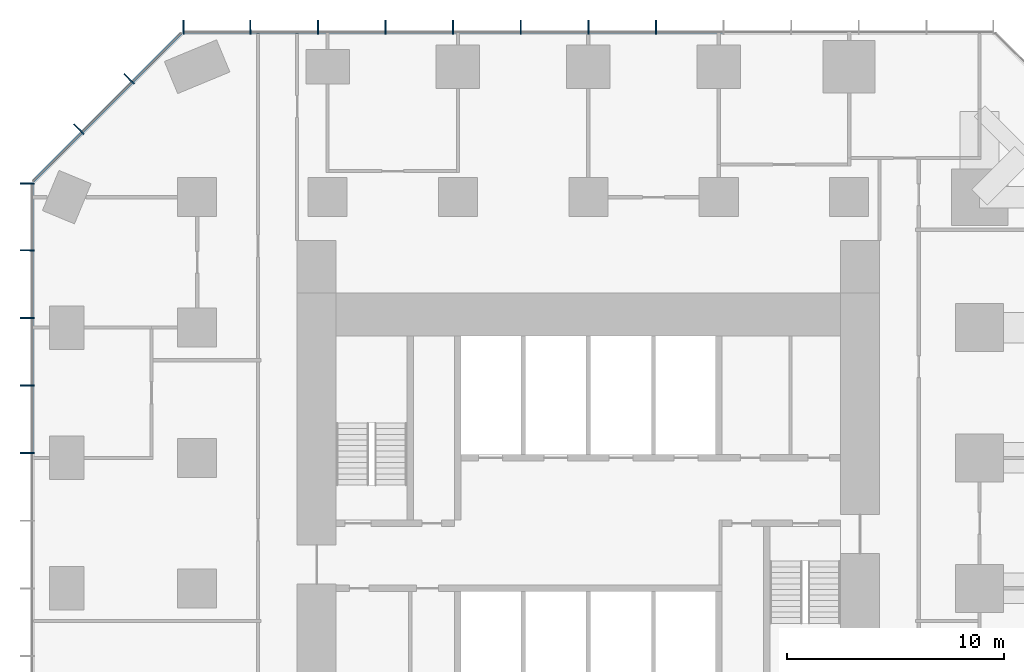
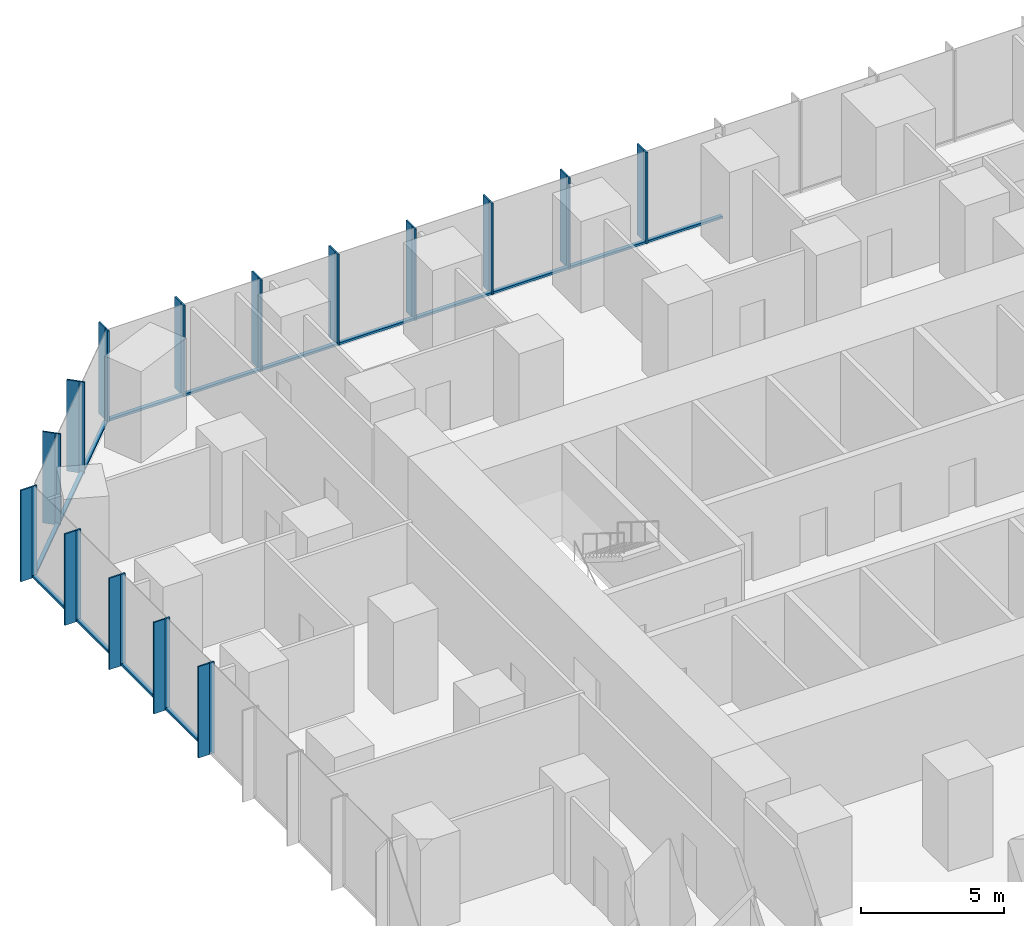
# One storey, part 5 of 12: 45 members, 3 elements without a shape of their own.
"""IFC4 building model written with IfcOpenShell, lengths in metres."""

from ifc_helpers import new_model, si_unit, direction, frame, origin, origin_2d, place, context, subcontext, project, spatial, rectangle, extrude, material, layer, layer_set, material_profile, profile_set, type_object, element, aggregate, save


model = new_model("IFC4")

# Units and contexts
model_context = context("Model", 3, precision=1e-05, world=origin(), true_north=direction((0.0, 1.0)))
body_context = subcontext(model_context, "Body", "Model", "MODEL_VIEW")
ifc_project = project(units=[si_unit("LENGTHUNIT", "METRE"), si_unit("AREAUNIT", "SQUARE_METRE"), si_unit("VOLUMEUNIT", "CUBIC_METRE"), si_unit("PLANEANGLEUNIT", "RADIAN"), si_unit("MASSUNIT", "GRAM", prefix="KILO")], contexts=[model_context])

# Site, building, storey
site_placement = place(None, origin())
site = spatial("IfcSite", under=ifc_project, at=site_placement, CompositionType="ELEMENT")
building_placement = place(site_placement, origin())
building = spatial("IfcBuilding", under=site, at=building_placement, Name="Highveld Stack Headquarters", CompositionType="ELEMENT")
storey_placement = place(building_placement, frame((0.0, 0.0, 53.300048828125)))
storey = spatial("IfcBuildingStorey", under=building, at=storey_placement, Name="L12", CompositionType="ELEMENT", Elevation=53.300048828125)

# Curtain wall, members
ifc_material_1 = material(Name="Aluminium bronze anodised", Category="aluminium")
ifc_layer_1 = layer(ifc_material_1, 0.199951171875)
ifc_layer_set_1 = layer_set([ifc_layer_1], Name="Aluminium bronze anodised")
curtain_wall_type_1 = type_object("IfcCurtainWallType", Name="CW1 TOWER UNITISED CURTAIN WALL", PredefinedType="NOTDEFINED", material=ifc_layer_set_1)
curtain_wall_1_placement = place(storey_placement, origin())
curtain_wall_1 = element("IfcCurtainWall", 1, at=curtain_wall_1_placement, inside=storey, type_object=curtain_wall_type_1, Name="Curtain wall CW1 L12 N", PredefinedType="NOTDEFINED")
ifc_material_2 = material(Name="Aluminium bronze anodised", Category="aluminium")
ifc_material_profile_1 = material_profile(ifc_material_2, rectangle(XDim=0.449951171875, YDim=0.06005859375, at=origin_2d()), Name="FIN 450x60")
ifc_profile_set_1 = profile_set([ifc_material_profile_1], Name="Aluminium bronze anodised")
member_type_1 = type_object("IfcMemberType", Name="CW1 BRONZE FIN 450x60", PredefinedType="USERDEFINED", material=ifc_profile_set_1)
member_1_placement = place(storey_placement, frame((9.110595703125, 25.925048828125, 0.0), z_axis=(0.0, 0.0, 1.0), x_axis=(0.0, -1.0, 0.0)))
member_1 = element("IfcMember", 2, at=member_1_placement, type_object=member_type_1, Name="CW1 fin L12 6", ObjectType="FIN", PredefinedType="USERDEFINED", context=body_context, shape_type="SweptSolid", body=[
    extrude(rectangle(XDim=0.449951171875, YDim=0.06005859375, at=origin_2d()), origin(), (0.0, 0.0, 1.0), 3.89990234375),
])
member_2_placement = place(storey_placement, frame((6.0, 25.925048828125, 0.0), z_axis=(0.0, 0.0, 1.0), x_axis=(0.0, -1.0, 0.0)))
member_2 = element("IfcMember", 3, at=member_2_placement, type_object=member_type_1, Name="CW1 fin L12 7", ObjectType="FIN", PredefinedType="USERDEFINED", context=body_context, shape_type="SweptSolid", body=[
    extrude(rectangle(XDim=0.449951171875, YDim=0.06005859375, at=origin_2d()), origin(), (0.0, 0.0, 1.0), 3.89990234375),
])
member_3_placement = place(storey_placement, frame((2.889404296875, 25.925048828125, 0.0), z_axis=(0.0, 0.0, 1.0), x_axis=(0.0, -1.0, 0.0)))
member_3 = element("IfcMember", 4, at=member_3_placement, type_object=member_type_1, Name="CW1 fin L12 8", ObjectType="FIN", PredefinedType="USERDEFINED", context=body_context, shape_type="SweptSolid", body=[
    extrude(rectangle(XDim=0.449951171875, YDim=0.06005859375, at=origin_2d()), origin(), (0.0, 0.0, 1.0), 3.89990234375),
])
member_4_placement = place(storey_placement, frame((-0.220947265625, 25.925048828125, 0.0), z_axis=(0.0, 0.0, 1.0), x_axis=(0.0, -1.0, 0.0)))
member_4 = element("IfcMember", 5, at=member_4_placement, type_object=member_type_1, Name="CW1 fin L12 9", ObjectType="FIN", PredefinedType="USERDEFINED", context=body_context, shape_type="SweptSolid", body=[
    extrude(rectangle(XDim=0.449951171875, YDim=0.06005859375, at=origin_2d()), origin(), (0.0, 0.0, 1.0), 3.89990234375),
])
member_5_placement = place(storey_placement, frame((-3.331298828125, 25.925048828125, 0.0), z_axis=(0.0, 0.0, 1.0), x_axis=(0.0, -1.0, 0.0)))
member_5 = element("IfcMember", 6, at=member_5_placement, type_object=member_type_1, Name="CW1 fin L12 10", ObjectType="FIN", PredefinedType="USERDEFINED", context=body_context, shape_type="SweptSolid", body=[
    extrude(rectangle(XDim=0.449951171875, YDim=0.06005859375, at=origin_2d()), origin(), (0.0, 0.0, 1.0), 3.89990234375),
])
member_6_placement = place(storey_placement, frame((-6.44189453125, 25.925048828125, 0.0), z_axis=(0.0, 0.0, 1.0), x_axis=(0.0, -1.0, 0.0)))
member_6 = element("IfcMember", 7, at=member_6_placement, type_object=member_type_1, Name="CW1 fin L12 11", ObjectType="FIN", PredefinedType="USERDEFINED", context=body_context, shape_type="SweptSolid", body=[
    extrude(rectangle(XDim=0.449951171875, YDim=0.06005859375, at=origin_2d()), origin(), (0.0, 0.0, 1.0), 3.89990234375),
])
member_7_placement = place(storey_placement, frame((-9.55224609375, 25.925048828125, 0.0), z_axis=(0.0, 0.0, 1.0), x_axis=(0.0, -1.0, 0.0)))
member_7 = element("IfcMember", 8, at=member_7_placement, type_object=member_type_1, Name="CW1 fin L12 12", ObjectType="FIN", PredefinedType="USERDEFINED", context=body_context, shape_type="SweptSolid", body=[
    extrude(rectangle(XDim=0.449951171875, YDim=0.06005859375, at=origin_2d()), origin(), (0.0, 0.0, 1.0), 3.89990234375),
])
member_8_placement = place(storey_placement, frame((-12.630126953125, 25.925048828125, 0.0), z_axis=(0.0, 0.0, 1.0), x_axis=(0.0, -1.0, 0.0)))
member_8 = element("IfcMember", 9, at=member_8_placement, type_object=member_type_1, Name="CW1 fin L12 13", ObjectType="FIN", PredefinedType="USERDEFINED", context=body_context, shape_type="SweptSolid", body=[
    extrude(rectangle(XDim=0.449951171875, YDim=0.06005859375, at=origin_2d()), origin(), (0.0, 0.0, 1.0), 3.89990234375),
])

curtain_wall_2_placement = place(storey_placement, origin())
curtain_wall_2 = element("IfcCurtainWall", 10, at=curtain_wall_2_placement, inside=storey, type_object=curtain_wall_type_1, Name="Curtain wall CW1 L12 W", PredefinedType="NOTDEFINED")
member_9_placement = place(storey_placement, frame((-19.925048828125, 18.630126953125, 0.0), z_axis=(0.0, 0.0, 1.0), x_axis=(1.0, 0.0, 0.0)))
member_9 = element("IfcMember", 11, at=member_9_placement, type_object=member_type_1, Name="CW1 fin L12 1", ObjectType="FIN", PredefinedType="USERDEFINED", context=body_context, shape_type="SweptSolid", body=[
    extrude(rectangle(XDim=0.449951171875, YDim=0.06005859375, at=origin_2d()), origin(), (0.0, 0.0, 1.0), 3.89990234375),
])
member_10_placement = place(storey_placement, frame((-19.925048828125, 15.55224609375, 0.0), z_axis=(0.0, 0.0, 1.0), x_axis=(1.0, 0.0, 0.0)))
member_10 = element("IfcMember", 12, at=member_10_placement, type_object=member_type_1, Name="CW1 fin L12 2", ObjectType="FIN", PredefinedType="USERDEFINED", context=body_context, shape_type="SweptSolid", body=[
    extrude(rectangle(XDim=0.449951171875, YDim=0.06005859375, at=origin_2d()), origin(), (0.0, 0.0, 1.0), 3.89990234375),
])
member_11_placement = place(storey_placement, frame((-19.925048828125, 12.44189453125, 0.0), z_axis=(0.0, 0.0, 1.0), x_axis=(1.0, 0.0, 0.0)))
member_11 = element("IfcMember", 13, at=member_11_placement, type_object=member_type_1, Name="CW1 fin L12 3", ObjectType="FIN", PredefinedType="USERDEFINED", context=body_context, shape_type="SweptSolid", body=[
    extrude(rectangle(XDim=0.449951171875, YDim=0.06005859375, at=origin_2d()), origin(), (0.0, 0.0, 1.0), 3.89990234375),
])
member_12_placement = place(storey_placement, frame((-19.925048828125, 9.331298828125, 0.0), z_axis=(0.0, 0.0, 1.0), x_axis=(1.0, 0.0, 0.0)))
member_12 = element("IfcMember", 14, at=member_12_placement, type_object=member_type_1, Name="CW1 fin L12 4", ObjectType="FIN", PredefinedType="USERDEFINED", context=body_context, shape_type="SweptSolid", body=[
    extrude(rectangle(XDim=0.449951171875, YDim=0.06005859375, at=origin_2d()), origin(), (0.0, 0.0, 1.0), 3.89990234375),
])
member_13_placement = place(storey_placement, frame((-19.925048828125, 6.220947265625, 0.0), z_axis=(0.0, 0.0, 1.0), x_axis=(1.0, 0.0, 0.0)))
member_13 = element("IfcMember", 15, at=member_13_placement, type_object=member_type_1, Name="CW1 fin L12 5", ObjectType="FIN", PredefinedType="USERDEFINED", context=body_context, shape_type="SweptSolid", body=[
    extrude(rectangle(XDim=0.449951171875, YDim=0.06005859375, at=origin_2d()), origin(), (0.0, 0.0, 1.0), 3.89990234375),
])

# Member
ifc_material_3 = material(Name="Aluminium bronze anodised", Category="aluminium")
ifc_material_profile_2 = material_profile(ifc_material_3, rectangle(XDim=0.199951171875, YDim=0.06494140625, at=origin_2d()), Name="CW1 MULLION 65x200")
ifc_profile_set_2 = profile_set([ifc_material_profile_2], Name="Aluminium bronze anodised")
member_type_2 = type_object("IfcMemberType", Name="CW1 MULLION 65x200", PredefinedType="MULLION", material=ifc_profile_set_2)
member_14_placement = place(storey_placement, frame((9.110595703125, 25.60009765625, 0.0), z_axis=(0.0, 0.0, 1.0), x_axis=(0.0, -1.0, 0.0)))
member_14 = element("IfcMember", 16, at=member_14_placement, type_object=member_type_2, Name="CW1 mullion L12 6", PredefinedType="MULLION", context=body_context, shape_type="SweptSolid", body=[
    extrude(rectangle(XDim=0.199951171875, YDim=0.06494140625, at=origin_2d()), origin(), (0.0, 0.0, 1.0), 3.89990234375),
])

member_15_placement = place(storey_placement, frame((6.0, 25.60009765625, 0.0), z_axis=(0.0, 0.0, 1.0), x_axis=(0.0, -1.0, 0.0)))
member_15 = element("IfcMember", 17, at=member_15_placement, type_object=member_type_2, Name="CW1 mullion L12 7", PredefinedType="MULLION", context=body_context, shape_type="SweptSolid", body=[
    extrude(rectangle(XDim=0.199951171875, YDim=0.06494140625, at=origin_2d()), origin(), (0.0, 0.0, 1.0), 3.89990234375),
])

member_16_placement = place(storey_placement, frame((2.889404296875, 25.60009765625, 0.0), z_axis=(0.0, 0.0, 1.0), x_axis=(0.0, -1.0, 0.0)))
member_16 = element("IfcMember", 18, at=member_16_placement, type_object=member_type_2, Name="CW1 mullion L12 8", PredefinedType="MULLION", context=body_context, shape_type="SweptSolid", body=[
    extrude(rectangle(XDim=0.199951171875, YDim=0.06494140625, at=origin_2d()), origin(), (0.0, 0.0, 1.0), 3.89990234375),
])

member_17_placement = place(storey_placement, frame((-0.220947265625, 25.60009765625, 0.0), z_axis=(0.0, 0.0, 1.0), x_axis=(0.0, -1.0, 0.0)))
member_17 = element("IfcMember", 19, at=member_17_placement, type_object=member_type_2, Name="CW1 mullion L12 9", PredefinedType="MULLION", context=body_context, shape_type="SweptSolid", body=[
    extrude(rectangle(XDim=0.199951171875, YDim=0.06494140625, at=origin_2d()), origin(), (0.0, 0.0, 1.0), 3.89990234375),
])

member_18_placement = place(storey_placement, frame((-3.331298828125, 25.60009765625, 0.0), z_axis=(0.0, 0.0, 1.0), x_axis=(0.0, -1.0, 0.0)))
member_18 = element("IfcMember", 20, at=member_18_placement, type_object=member_type_2, Name="CW1 mullion L12 10", PredefinedType="MULLION", context=body_context, shape_type="SweptSolid", body=[
    extrude(rectangle(XDim=0.199951171875, YDim=0.06494140625, at=origin_2d()), origin(), (0.0, 0.0, 1.0), 3.89990234375),
])

member_19_placement = place(storey_placement, frame((-6.44189453125, 25.60009765625, 0.0), z_axis=(0.0, 0.0, 1.0), x_axis=(0.0, -1.0, 0.0)))
member_19 = element("IfcMember", 21, at=member_19_placement, type_object=member_type_2, Name="CW1 mullion L12 11", PredefinedType="MULLION", context=body_context, shape_type="SweptSolid", body=[
    extrude(rectangle(XDim=0.199951171875, YDim=0.06494140625, at=origin_2d()), origin(), (0.0, 0.0, 1.0), 3.89990234375),
])

member_20_placement = place(storey_placement, frame((-9.55224609375, 25.60009765625, 0.0), z_axis=(0.0, 0.0, 1.0), x_axis=(0.0, -1.0, 0.0)))
member_20 = element("IfcMember", 22, at=member_20_placement, type_object=member_type_2, Name="CW1 mullion L12 12", PredefinedType="MULLION", context=body_context, shape_type="SweptSolid", body=[
    extrude(rectangle(XDim=0.199951171875, YDim=0.06494140625, at=origin_2d()), origin(), (0.0, 0.0, 1.0), 3.89990234375),
])

member_21_placement = place(storey_placement, frame((-12.630126953125, 25.60009765625, 0.0), z_axis=(0.0, 0.0, 1.0), x_axis=(0.0, -1.0, 0.0)))
member_21 = element("IfcMember", 23, at=member_21_placement, type_object=member_type_2, Name="CW1 mullion L12 13", PredefinedType="MULLION", context=body_context, shape_type="SweptSolid", body=[
    extrude(rectangle(XDim=0.199951171875, YDim=0.06494140625, at=origin_2d()), origin(), (0.0, 0.0, 1.0), 3.89990234375),
])

member_22_placement = place(storey_placement, frame((-19.60009765625, 18.630126953125, 0.0), z_axis=(0.0, 0.0, 1.0), x_axis=(1.0, 0.0, 0.0)))
member_22 = element("IfcMember", 24, at=member_22_placement, type_object=member_type_2, Name="CW1 mullion L12 1", PredefinedType="MULLION", context=body_context, shape_type="SweptSolid", body=[
    extrude(rectangle(XDim=0.199951171875, YDim=0.06494140625, at=origin_2d()), origin(), (0.0, 0.0, 1.0), 3.89990234375),
])

member_23_placement = place(storey_placement, frame((-19.60009765625, 15.55224609375, 0.0), z_axis=(0.0, 0.0, 1.0), x_axis=(1.0, 0.0, 0.0)))
member_23 = element("IfcMember", 25, at=member_23_placement, type_object=member_type_2, Name="CW1 mullion L12 2", PredefinedType="MULLION", context=body_context, shape_type="SweptSolid", body=[
    extrude(rectangle(XDim=0.199951171875, YDim=0.06494140625, at=origin_2d()), origin(), (0.0, 0.0, 1.0), 3.89990234375),
])

member_24_placement = place(storey_placement, frame((-19.60009765625, 12.44189453125, 0.0), z_axis=(0.0, 0.0, 1.0), x_axis=(1.0, 0.0, 0.0)))
member_24 = element("IfcMember", 26, at=member_24_placement, type_object=member_type_2, Name="CW1 mullion L12 3", PredefinedType="MULLION", context=body_context, shape_type="SweptSolid", body=[
    extrude(rectangle(XDim=0.199951171875, YDim=0.06494140625, at=origin_2d()), origin(), (0.0, 0.0, 1.0), 3.89990234375),
])

member_25_placement = place(storey_placement, frame((-19.60009765625, 9.331298828125, 0.0), z_axis=(0.0, 0.0, 1.0), x_axis=(1.0, 0.0, 0.0)))
member_25 = element("IfcMember", 27, at=member_25_placement, type_object=member_type_2, Name="CW1 mullion L12 4", PredefinedType="MULLION", context=body_context, shape_type="SweptSolid", body=[
    extrude(rectangle(XDim=0.199951171875, YDim=0.06494140625, at=origin_2d()), origin(), (0.0, 0.0, 1.0), 3.89990234375),
])

member_26_placement = place(storey_placement, frame((-19.60009765625, 6.220947265625, 0.0), z_axis=(0.0, 0.0, 1.0), x_axis=(1.0, 0.0, 0.0)))
member_26 = element("IfcMember", 28, at=member_26_placement, type_object=member_type_2, Name="CW1 mullion L12 5", PredefinedType="MULLION", context=body_context, shape_type="SweptSolid", body=[
    extrude(rectangle(XDim=0.199951171875, YDim=0.06494140625, at=origin_2d()), origin(), (0.0, 0.0, 1.0), 3.89990234375),
])

ifc_material_4 = material(Name="Aluminium bronze anodised", Category="aluminium")
ifc_material_profile_3 = material_profile(ifc_material_4, rectangle(XDim=0.14990234375, YDim=0.10009765625, at=origin_2d()), Name="CW1 TRANSOM 150x100")
ifc_profile_set_3 = profile_set([ifc_material_profile_3], Name="Aluminium bronze anodised")
member_type_3 = type_object("IfcMemberType", Name="CW1 STACK TRANSOM 150x100", PredefinedType="USERDEFINED", material=ifc_profile_set_3)
member_27_placement = place(storey_placement, frame((12.1884765625, 25.60009765625, 0.050048828125), z_axis=(-1.0, 0.0, 0.0), x_axis=(0.0, -1.0, 0.0)))
member_27 = element("IfcMember", 29, at=member_27_placement, type_object=member_type_3, Name="CW1 transom L12 5.1", ObjectType="TRANSOM", PredefinedType="USERDEFINED", context=body_context, shape_type="SweptSolid", body=[
    extrude(rectangle(XDim=0.14990234375, YDim=0.10009765625, at=origin_2d()), origin(), (0.0, 0.0, 1.0), 3.04541015625),
])

member_28_placement = place(storey_placement, frame((9.077880859375, 25.60009765625, 0.050048828125), z_axis=(-1.0, 0.0, 0.0), x_axis=(0.0, -1.0, 0.0)))
member_28 = element("IfcMember", 30, at=member_28_placement, type_object=member_type_3, Name="CW1 transom L12 6.1", ObjectType="TRANSOM", PredefinedType="USERDEFINED", context=body_context, shape_type="SweptSolid", body=[
    extrude(rectangle(XDim=0.14990234375, YDim=0.10009765625, at=origin_2d()), origin(), (0.0, 0.0, 1.0), 3.04541015625),
])

member_29_placement = place(storey_placement, frame((5.967529296875, 25.60009765625, 0.050048828125), z_axis=(-1.0, 0.0, 0.0), x_axis=(0.0, -1.0, 0.0)))
member_29 = element("IfcMember", 31, at=member_29_placement, type_object=member_type_3, Name="CW1 transom L12 7.1", ObjectType="TRANSOM", PredefinedType="USERDEFINED", context=body_context, shape_type="SweptSolid", body=[
    extrude(rectangle(XDim=0.14990234375, YDim=0.10009765625, at=origin_2d()), origin(), (0.0, 0.0, 1.0), 3.04541015625),
])

member_30_placement = place(storey_placement, frame((2.857177734375, 25.60009765625, 0.050048828125), z_axis=(-1.0, 0.0, 0.0), x_axis=(0.0, -1.0, 0.0)))
member_30 = element("IfcMember", 32, at=member_30_placement, type_object=member_type_3, Name="CW1 transom L12 8.1", ObjectType="TRANSOM", PredefinedType="USERDEFINED", context=body_context, shape_type="SweptSolid", body=[
    extrude(rectangle(XDim=0.14990234375, YDim=0.10009765625, at=origin_2d()), origin(), (0.0, 0.0, 1.0), 3.045654296875),
])

member_31_placement = place(storey_placement, frame((-0.25341796875, 25.60009765625, 0.050048828125), z_axis=(-1.0, 0.0, 0.0), x_axis=(0.0, -1.0, 0.0)))
member_31 = element("IfcMember", 33, at=member_31_placement, type_object=member_type_3, Name="CW1 transom L12 9.1", ObjectType="TRANSOM", PredefinedType="USERDEFINED", context=body_context, shape_type="SweptSolid", body=[
    extrude(rectangle(XDim=0.14990234375, YDim=0.10009765625, at=origin_2d()), origin(), (0.0, 0.0, 1.0), 3.04541015625),
])

member_32_placement = place(storey_placement, frame((-3.36376953125, 25.60009765625, 0.050048828125), z_axis=(-1.0, 0.0, 0.0), x_axis=(0.0, -1.0, 0.0)))
member_32 = element("IfcMember", 34, at=member_32_placement, type_object=member_type_3, Name="CW1 transom L12 10.1", ObjectType="TRANSOM", PredefinedType="USERDEFINED", context=body_context, shape_type="SweptSolid", body=[
    extrude(rectangle(XDim=0.14990234375, YDim=0.10009765625, at=origin_2d()), origin(), (0.0, 0.0, 1.0), 3.04541015625),
])

member_33_placement = place(storey_placement, frame((-6.474365234375, 25.60009765625, 0.050048828125), z_axis=(-1.0, 0.0, 0.0), x_axis=(0.0, -1.0, 0.0)))
member_33 = element("IfcMember", 35, at=member_33_placement, type_object=member_type_3, Name="CW1 transom L12 11.1", ObjectType="TRANSOM", PredefinedType="USERDEFINED", context=body_context, shape_type="SweptSolid", body=[
    extrude(rectangle(XDim=0.14990234375, YDim=0.10009765625, at=origin_2d()), origin(), (0.0, 0.0, 1.0), 3.04541015625),
])

member_34_placement = place(storey_placement, frame((-9.584716796875, 25.60009765625, 0.050048828125), z_axis=(-1.0, 0.0, 0.0), x_axis=(0.0, -1.0, 0.0)))
member_34 = element("IfcMember", 36, at=member_34_placement, type_object=member_type_3, Name="CW1 transom L12 12.1", ObjectType="TRANSOM", PredefinedType="USERDEFINED", context=body_context, shape_type="SweptSolid", body=[
    extrude(rectangle(XDim=0.14990234375, YDim=0.10009765625, at=origin_2d()), origin(), (0.0, 0.0, 1.0), 3.012939453125),
])

aggregate(curtain_wall_1, [member_14, member_1, member_15, member_2, member_16, member_3, member_17, member_4, member_18, member_5, member_19, member_6, member_20, member_7, member_21, member_8, member_27, member_28, member_29, member_30, member_31, member_32, member_33, member_34])

member_35_placement = place(storey_placement, frame((-19.60009765625, 18.59765625, 0.050048828125), z_axis=(0.0, -1.0, 0.0), x_axis=(1.0, 0.0, 0.0)))
member_35 = element("IfcMember", 37, at=member_35_placement, type_object=member_type_3, Name="CW1 transom L12 1.1", ObjectType="TRANSOM", PredefinedType="USERDEFINED", context=body_context, shape_type="SweptSolid", body=[
    extrude(rectangle(XDim=0.14990234375, YDim=0.10009765625, at=origin_2d()), origin(), (0.0, 0.0, 1.0), 3.012939453125),
])

member_36_placement = place(storey_placement, frame((-19.60009765625, 15.519775390625, 0.050048828125), z_axis=(0.0, -1.0, 0.0), x_axis=(1.0, 0.0, 0.0)))
member_36 = element("IfcMember", 38, at=member_36_placement, type_object=member_type_3, Name="CW1 transom L12 2.1", ObjectType="TRANSOM", PredefinedType="USERDEFINED", context=body_context, shape_type="SweptSolid", body=[
    extrude(rectangle(XDim=0.14990234375, YDim=0.10009765625, at=origin_2d()), origin(), (0.0, 0.0, 1.0), 3.04541015625),
])

member_37_placement = place(storey_placement, frame((-19.60009765625, 12.4091796875, 0.050048828125), z_axis=(0.0, -1.0, 0.0), x_axis=(1.0, 0.0, 0.0)))
member_37 = element("IfcMember", 39, at=member_37_placement, type_object=member_type_3, Name="CW1 transom L12 3.1", ObjectType="TRANSOM", PredefinedType="USERDEFINED", context=body_context, shape_type="SweptSolid", body=[
    extrude(rectangle(XDim=0.14990234375, YDim=0.10009765625, at=origin_2d()), origin(), (0.0, 0.0, 1.0), 3.045166015625),
])

member_38_placement = place(storey_placement, frame((-19.60009765625, 9.298828125, 0.050048828125), z_axis=(0.0, -1.0, 0.0), x_axis=(1.0, 0.0, 0.0)))
member_38 = element("IfcMember", 40, at=member_38_placement, type_object=member_type_3, Name="CW1 transom L12 4.1", ObjectType="TRANSOM", PredefinedType="USERDEFINED", context=body_context, shape_type="SweptSolid", body=[
    extrude(rectangle(XDim=0.14990234375, YDim=0.10009765625, at=origin_2d()), origin(), (0.0, 0.0, 1.0), 3.04541015625),
])

aggregate(curtain_wall_2, [member_22, member_9, member_23, member_10, member_24, member_11, member_25, member_12, member_26, member_13, member_35, member_36, member_37, member_38])

# Curtain wall, members
ifc_material_5 = material(Name="Aluminium bronze anodised", Category="aluminium")
ifc_layer_2 = layer(ifc_material_5, 0.199951171875)
ifc_layer_set_2 = layer_set([ifc_layer_2], Name="Aluminium bronze anodised")
curtain_wall_type_2 = type_object("IfcCurtainWallType", Name="CW2 TOWER CHAMFER UNITISED CURTAIN WALL", PredefinedType="NOTDEFINED", material=ifc_layer_set_2)
curtain_wall_3_placement = place(storey_placement, origin())
curtain_wall_3 = element("IfcCurtainWall", 41, at=curtain_wall_3_placement, inside=storey, type_object=curtain_wall_type_2, Name="Curtain wall CW2 L12 NW", PredefinedType="NOTDEFINED")
ifc_material_6 = material(Name="Aluminium bronze anodised", Category="aluminium")
ifc_material_profile_4 = material_profile(ifc_material_6, rectangle(XDim=0.449951171875, YDim=0.06005859375, at=origin_2d()), Name="FIN 450x60")
ifc_profile_set_4 = profile_set([ifc_material_profile_4], Name="Aluminium bronze anodised")
member_type_4 = type_object("IfcMemberType", Name="CW2 BRONZE FIN 450x60", PredefinedType="USERDEFINED", material=ifc_profile_set_4)
member_39_placement = place(storey_placement, frame((-15.204833984375, 23.517333984375, 0.0), z_axis=(0.0, 0.0, 1.0), x_axis=(0.707106781187, -0.707106781187, 0.0)))
member_39 = element("IfcMember", 42, at=member_39_placement, type_object=member_type_4, Name="CW2 fin L12 1", ObjectType="FIN", PredefinedType="USERDEFINED", context=body_context, shape_type="SweptSolid", body=[
    extrude(rectangle(XDim=0.449951171875, YDim=0.06005859375, at=origin_2d()), origin(), (0.0, 0.0, 1.0), 3.89990234375),
])
member_40_placement = place(storey_placement, frame((-17.517333984375, 21.204833984375, 0.0), z_axis=(0.0, 0.0, 1.0), x_axis=(0.707106781187, -0.707106781187, 0.0)))
member_40 = element("IfcMember", 43, at=member_40_placement, type_object=member_type_4, Name="CW2 fin L12 2", ObjectType="FIN", PredefinedType="USERDEFINED", context=body_context, shape_type="SweptSolid", body=[
    extrude(rectangle(XDim=0.449951171875, YDim=0.06005859375, at=origin_2d()), origin(), (0.0, 0.0, 1.0), 3.89990234375),
])
ifc_material_7 = material(Name="Aluminium bronze anodised", Category="aluminium")
ifc_material_profile_5 = material_profile(ifc_material_7, rectangle(XDim=0.199951171875, YDim=0.06494140625, at=origin_2d()), Name="CW2 MULLION 65x200")
ifc_profile_set_5 = profile_set([ifc_material_profile_5], Name="Aluminium bronze anodised")
member_type_5 = type_object("IfcMemberType", Name="CW2 MULLION 65x200", PredefinedType="MULLION", material=ifc_profile_set_5)
member_41_placement = place(storey_placement, frame((-14.97509765625, 23.28759765625, 0.0), z_axis=(0.0, 0.0, 1.0), x_axis=(0.707106781187, -0.707106781187, 0.0)))
member_41 = element("IfcMember", 44, at=member_41_placement, type_object=member_type_5, Name="CW2 mullion L12 1", PredefinedType="MULLION", context=body_context, shape_type="SweptSolid", body=[
    extrude(rectangle(XDim=0.199951171875, YDim=0.06494140625, at=origin_2d()), origin(), (0.0, 0.0, 1.0), 3.89990234375),
])
member_42_placement = place(storey_placement, frame((-17.28759765625, 20.97509765625, 0.0), z_axis=(0.0, 0.0, 1.0), x_axis=(0.707106781187, -0.707106781187, 0.0)))
member_42 = element("IfcMember", 45, at=member_42_placement, type_object=member_type_5, Name="CW2 mullion L12 2", PredefinedType="MULLION", context=body_context, shape_type="SweptSolid", body=[
    extrude(rectangle(XDim=0.199951171875, YDim=0.06494140625, at=origin_2d()), origin(), (0.0, 0.0, 1.0), 3.89990234375),
])
ifc_material_8 = material(Name="Aluminium bronze anodised", Category="aluminium")
ifc_material_profile_6 = material_profile(ifc_material_8, rectangle(XDim=0.14990234375, YDim=0.10009765625, at=origin_2d()), Name="CW2 TRANSOM 150x100")
ifc_profile_set_6 = profile_set([ifc_material_profile_6], Name="Aluminium bronze anodised")
member_type_6 = type_object("IfcMemberType", Name="CW2 STACK TRANSOM 150x100", PredefinedType="USERDEFINED", material=ifc_profile_set_6)
member_43_placement = place(storey_placement, frame((-12.7333984375, 25.529296875, 0.050048828125), z_axis=(-0.707106781187, -0.707106781187, 0.0), x_axis=(0.707106781187, -0.707106781187, 0.0)))
member_43 = element("IfcMember", 46, at=member_43_placement, type_object=member_type_6, Name="CW2 transom L12 1.1", ObjectType="TRANSOM", PredefinedType="USERDEFINED", context=body_context, shape_type="SweptSolid", body=[
    extrude(rectangle(XDim=0.14990234375, YDim=0.10009765625, at=origin_2d()), origin(), (0.0, 0.0, 1.0), 3.1376953125),
])
member_44_placement = place(storey_placement, frame((-14.998046875, 23.2646484375, 0.050048828125), z_axis=(-0.707106781187, -0.707106781187, 0.0), x_axis=(0.707106781187, -0.707106781187, 0.0)))
member_44 = element("IfcMember", 47, at=member_44_placement, type_object=member_type_6, Name="CW2 transom L12 2.1", ObjectType="TRANSOM", PredefinedType="USERDEFINED", context=body_context, shape_type="SweptSolid", body=[
    extrude(rectangle(XDim=0.14990234375, YDim=0.10009765625, at=origin_2d()), origin(), (0.0, 0.0, 1.0), 3.20556640625),
])
member_45_placement = place(storey_placement, frame((-17.310546875, 20.9521484375, 0.050048828125), z_axis=(-0.707106781187, -0.707106781187, 0.0), x_axis=(0.707106781187, -0.707106781187, 0.0)))
member_45 = element("IfcMember", 48, at=member_45_placement, type_object=member_type_6, Name="CW2 transom L12 3.1", ObjectType="TRANSOM", PredefinedType="USERDEFINED", context=body_context, shape_type="SweptSolid", body=[
    extrude(rectangle(XDim=0.14990234375, YDim=0.10009765625, at=origin_2d()), origin(), (0.0, 0.0, 1.0), 3.1376953125),
])
aggregate(curtain_wall_3, [member_41, member_39, member_42, member_40, member_43, member_44, member_45])

save(model, "model.ifc")
